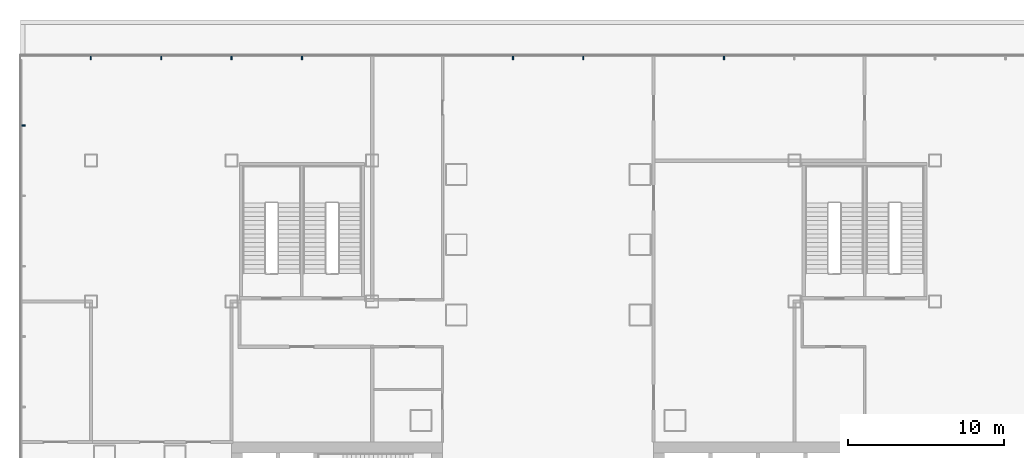
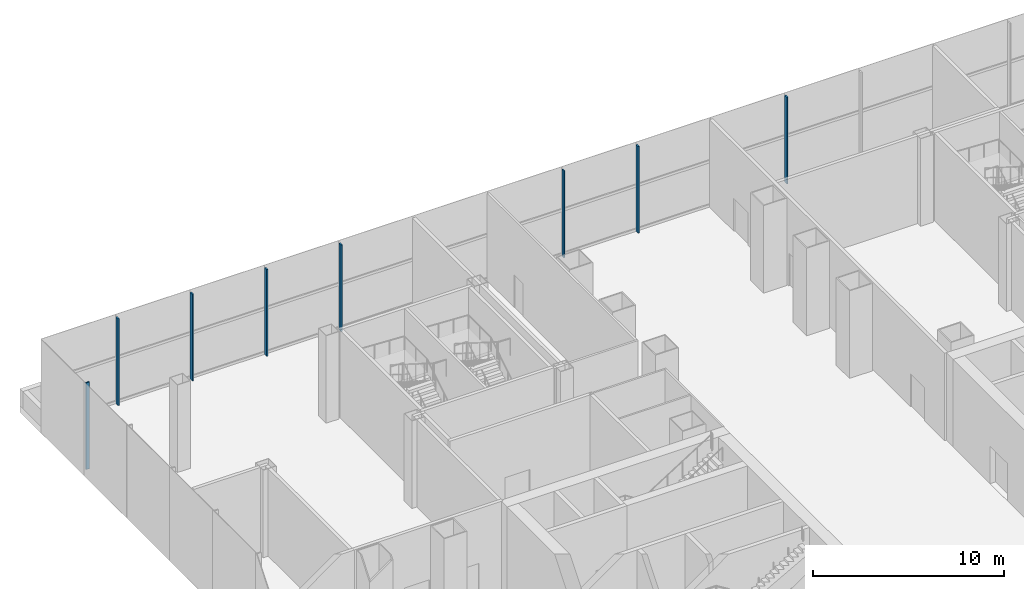
# One storey, part 11 of 38: 8 members, 2 elements without a shape of their own.
"""IFC4 building model written with IfcOpenShell, lengths in metres."""

from ifc_helpers import new_model, si_unit, direction, frame, origin, origin_2d, place, context, subcontext, project, spatial, rectangle, extrude, material, layer, layer_set, material_profile, profile_set, type_object, element, aggregate, save


model = new_model("IFC4")

# Units and contexts
model_context = context("Model", 3, precision=1e-05, world=origin(), true_north=direction((0.0, 1.0)))
body_context = subcontext(model_context, "Body", "Model", "MODEL_VIEW")
ifc_project = project(units=[si_unit("LENGTHUNIT", "METRE"), si_unit("AREAUNIT", "SQUARE_METRE"), si_unit("VOLUMEUNIT", "CUBIC_METRE"), si_unit("PLANEANGLEUNIT", "RADIAN"), si_unit("MASSUNIT", "GRAM", prefix="KILO")], contexts=[model_context])

# Site, building, storey
site_placement = place(None, origin())
site = spatial("IfcSite", under=ifc_project, at=site_placement, CompositionType="ELEMENT")
building_placement = place(site_placement, origin())
building = spatial("IfcBuilding", under=site, at=building_placement, Name="Shamsa Quay Exchange Towers", CompositionType="ELEMENT")
storey_placement = place(building_placement, frame((0.0, 0.0, 12.5)))
storey = spatial("IfcBuildingStorey", under=building, at=storey_placement, Name="L02", CompositionType="ELEMENT", Elevation=12.5)

# Curtain wall, members
ifc_material = material(Name="Aluminium EN AW-6063 T6, black anodised", Category="aluminium")
ifc_layer = layer(ifc_material, 0.33203125)
ifc_layer_set = layer_set([ifc_layer], Name="CW-3 PODIUM SHOPFRONT GLAZING")
curtain_wall_type = type_object("IfcCurtainWallType", Name="CW-3 PODIUM SHOPFRONT GLAZING", PredefinedType="NOTDEFINED", material=ifc_layer_set)
curtain_wall_1_placement = place(storey_placement, origin())
curtain_wall_1 = element("IfcCurtainWall", 1, at=curtain_wall_1_placement, inside=storey, type_object=curtain_wall_type, Name="CW3 PODIUM-L02-F01", PredefinedType="NOTDEFINED")
ifc_material_profile = material_profile(ifc_material, rectangle(XDim=0.219970703125, YDim=0.080078125, at=origin_2d()), Name="MU80x220")
ifc_profile_set = profile_set([ifc_material_profile], Name="Aluminium EN AW-6063 T6, black anodised")
member_type = type_object("IfcMemberType", Name="CW3 MULLION 80x220", PredefinedType="MULLION", material=ifc_profile_set)
member_1_placement = place(storey_placement, frame((-22.5, 31.31005859375, 0.0), z_axis=(0.0, 0.0, 1.0), x_axis=(0.0, -1.0, 0.0)))
member_1 = element("IfcMember", 2, at=member_1_placement, type_object=member_type, Name="CW3 mullion", PredefinedType="MULLION", context=body_context, shape_type="SweptSolid", body=[
    extrude(rectangle(XDim=0.219970703125, YDim=0.080078125, at=origin_2d()), origin(), (0.0, 0.0, 1.0), 5.550048828125),
])
member_2_placement = place(storey_placement, frame((-31.5, 31.31005859375, 0.0), z_axis=(0.0, 0.0, 1.0), x_axis=(0.0, -1.0, 0.0)))
member_2 = element("IfcMember", 3, at=member_2_placement, type_object=member_type, Name="CW3 mullion", PredefinedType="MULLION", context=body_context, shape_type="SweptSolid", body=[
    extrude(rectangle(XDim=0.219970703125, YDim=0.080078125, at=origin_2d()), origin(), (0.0, 0.0, 1.0), 5.550048828125),
])
member_3_placement = place(storey_placement, frame((-36.0, 31.31005859375, 0.0), z_axis=(0.0, 0.0, 1.0), x_axis=(0.0, -1.0, 0.0)))
member_3 = element("IfcMember", 4, at=member_3_placement, type_object=member_type, Name="CW3 mullion", PredefinedType="MULLION", context=body_context, shape_type="SweptSolid", body=[
    extrude(rectangle(XDim=0.219970703125, YDim=0.080078125, at=origin_2d()), origin(), (0.0, 0.0, 1.0), 5.550048828125),
])
member_4_placement = place(storey_placement, frame((-49.5, 31.31005859375, 0.0), z_axis=(0.0, 0.0, 1.0), x_axis=(0.0, -1.0, 0.0)))
member_4 = element("IfcMember", 5, at=member_4_placement, type_object=member_type, Name="CW3 mullion", PredefinedType="MULLION", context=body_context, shape_type="SweptSolid", body=[
    extrude(rectangle(XDim=0.219970703125, YDim=0.080078125, at=origin_2d()), origin(), (0.0, 0.0, 1.0), 5.550048828125),
])
member_5_placement = place(storey_placement, frame((-54.0, 31.31005859375, 0.0), z_axis=(0.0, 0.0, 1.0), x_axis=(0.0, -1.0, 0.0)))
member_5 = element("IfcMember", 6, at=member_5_placement, type_object=member_type, Name="CW3 mullion", PredefinedType="MULLION", context=body_context, shape_type="SweptSolid", body=[
    extrude(rectangle(XDim=0.219970703125, YDim=0.080078125, at=origin_2d()), origin(), (0.0, 0.0, 1.0), 5.550048828125),
])
member_6_placement = place(storey_placement, frame((-58.5, 31.31005859375, 0.0), z_axis=(0.0, 0.0, 1.0), x_axis=(0.0, -1.0, 0.0)))
member_6 = element("IfcMember", 7, at=member_6_placement, type_object=member_type, Name="CW3 mullion", PredefinedType="MULLION", context=body_context, shape_type="SweptSolid", body=[
    extrude(rectangle(XDim=0.219970703125, YDim=0.080078125, at=origin_2d()), origin(), (0.0, 0.0, 1.0), 5.550048828125),
])
member_7_placement = place(storey_placement, frame((-63.0, 31.31005859375, 0.0), z_axis=(0.0, 0.0, 1.0), x_axis=(0.0, -1.0, 0.0)))
member_7 = element("IfcMember", 8, at=member_7_placement, type_object=member_type, Name="CW3 mullion", PredefinedType="MULLION", context=body_context, shape_type="SweptSolid", body=[
    extrude(rectangle(XDim=0.219970703125, YDim=0.080078125, at=origin_2d()), origin(), (0.0, 0.0, 1.0), 5.550048828125),
])
aggregate(curtain_wall_1, [member_1, member_2, member_3, member_4, member_5, member_6, member_7])

# Curtain wall, member
curtain_wall_2_placement = place(storey_placement, origin())
curtain_wall_2 = element("IfcCurtainWall", 9, at=curtain_wall_2_placement, inside=storey, type_object=curtain_wall_type, Name="CW3 PODIUM-L02-F02", PredefinedType="NOTDEFINED")
member_8_placement = place(storey_placement, frame((-67.31005859375, 27.0, 0.0)))
member_8 = element("IfcMember", 10, at=member_8_placement, type_object=member_type, Name="CW3 mullion", PredefinedType="MULLION", context=body_context, shape_type="SweptSolid", body=[
    extrude(rectangle(XDim=0.219970703125, YDim=0.080078125, at=origin_2d()), origin(), (0.0, 0.0, 1.0), 5.550048828125),
])
aggregate(curtain_wall_2, [member_8])

save(model, "model.ifc")
